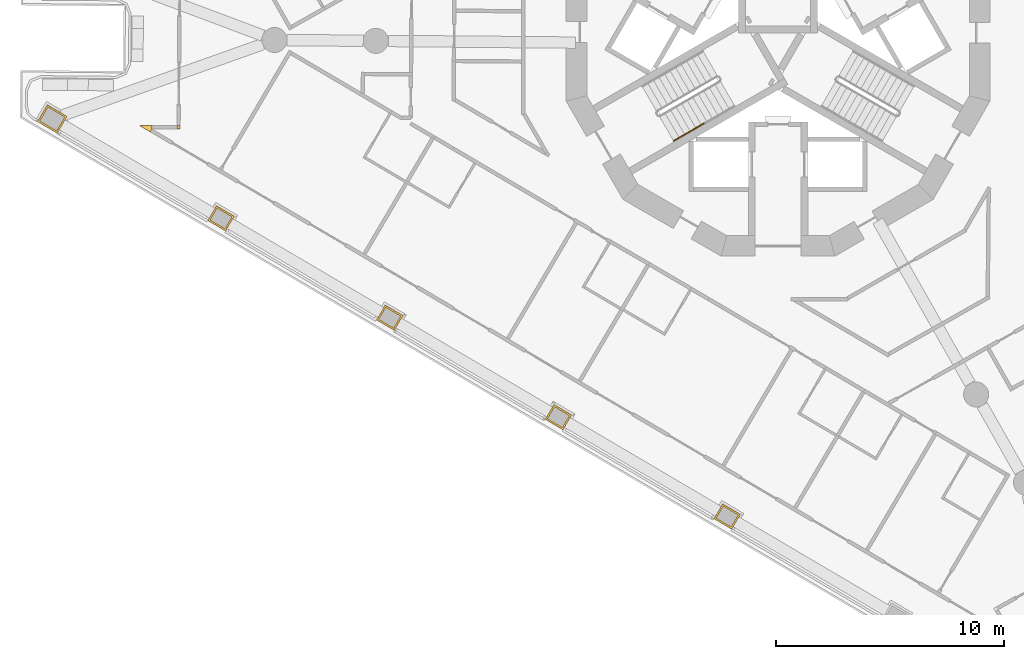
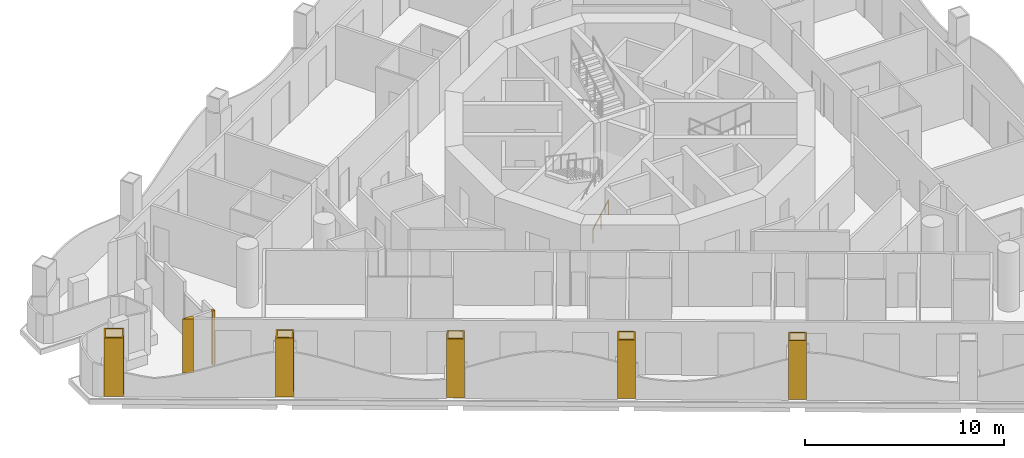
# One storey, part 11 of 17: 7 coverings, 1 railing.
"""IFC4 building model written with IfcOpenShell, lengths in metres."""

from ifc_helpers import new_model, si_unit, direction, frame, origin, origin_2d, place, context, subcontext, project, spatial, polyline, circle, outline, extrude, material, layer, layer_set, type_object, element, save


model = new_model("IFC4")

# Units and contexts
model_context = context("Model", 3, precision=1e-05, world=origin(), true_north=direction((0.0, 1.0)))
body_context = subcontext(model_context, "Body", "Model", "MODEL_VIEW")
ifc_project = project(units=[si_unit("LENGTHUNIT", "METRE"), si_unit("AREAUNIT", "SQUARE_METRE"), si_unit("VOLUMEUNIT", "CUBIC_METRE"), si_unit("PLANEANGLEUNIT", "RADIAN"), si_unit("MASSUNIT", "GRAM", prefix="KILO")], contexts=[model_context])

# Site, building, storey
site_placement = place(None, origin())
site = spatial("IfcSite", under=ifc_project, at=site_placement, CompositionType="ELEMENT")
building_placement = place(site_placement, origin())
building = spatial("IfcBuilding", under=site, at=building_placement, Name="Trine Commons Tower", CompositionType="ELEMENT")
storey_placement = place(building_placement, frame((0.0, 0.0, 164.699951171875)))
storey = spatial("IfcBuildingStorey", under=building, at=storey_placement, Name="L42", CompositionType="ELEMENT", Elevation=164.699951171875)

# Coverings
ifc_material_1 = material(Name="Aluminium-framed insulated wall panel", Category="aluminium")
ifc_layer_1 = layer(ifc_material_1, 0.14990234375)
ifc_layer_set_1 = layer_set([ifc_layer_1], Name="Aluminium-framed insulated wall panel")
covering_type_1 = type_object("IfcCoveringType", Name="Glazing corner post, aluminium", PredefinedType="CLADDING", material=ifc_layer_set_1)
covering_1_placement = place(storey_placement, origin())
element("IfcCovering", 1, at=covering_1_placement, inside=storey, type_object=covering_type_1, Name="Glazing corner post 5-01", PredefinedType="CLADDING", context=body_context, shape_type="SweptSolid", body=[
    extrude(outline(polyline([(52.519775390625, 58.669921875), (52.595947265625, 58.799072265625), (52.59716796875, 58.948974609375), (52.037353515625, 58.953857421875), (52.519775390625, 58.669921875)])), origin(), (0.0, 0.0, 1.0), 3.300048828125),
])
covering_2_placement = place(storey_placement, origin())
element("IfcCovering", 2, at=covering_2_placement, inside=storey, type_object=covering_type_1, Name="Glazing corner post 5-02", PredefinedType="CLADDING", context=body_context, shape_type="SweptSolid", body=[
    extrude(outline(polyline([(53.681640625, 58.78955078125), (53.83154296875, 58.7880859375), (53.8330078125, 58.938232421875), (53.682861328125, 58.939453125), (53.681640625, 58.78955078125)])), origin(), (0.0, 0.0, 1.0), 3.300048828125),
])
ifc_material_2 = material(Name="Limestone, honed", Category="masonry")
ifc_layer_2 = layer(ifc_material_2, 0.074951171875)
ifc_layer_set_2 = layer_set([ifc_layer_2], Name="Limestone, honed")
covering_type_2 = type_object("IfcCoveringType", Name="Limestone column cladding 75", PredefinedType="CLADDING", material=ifc_layer_set_2)
covering_3_placement = place(storey_placement, origin())
element("IfcCovering", 3, at=covering_3_placement, inside=storey, type_object=covering_type_2, Name="Limestone pier cladding 5-03", PredefinedType="CLADDING", context=body_context, shape_type="SweptSolid", body=[
    extrude(outline(polyline([(77.57568359375, 42.384521484375), (77.195068359375, 41.73828125), (77.970703125, 41.281494140625), (78.351318359375, 41.927734375), (77.57568359375, 42.384521484375)]), holes=[polyline([(77.602294921875, 42.28173828125), (77.2978515625, 41.764892578125), (77.944091796875, 41.38427734375), (78.24853515625, 41.901123046875), (77.602294921875, 42.28173828125)])]), origin(), (0.0, 0.0, 1.0), 3.60009765625),
])
covering_4_placement = place(storey_placement, origin())
element("IfcCovering", 4, at=covering_4_placement, inside=storey, type_object=covering_type_2, Name="Limestone pier cladding 5-04", PredefinedType="CLADDING", context=body_context, shape_type="SweptSolid", body=[
    extrude(outline(polyline([(70.191162109375, 46.734375), (69.810302734375, 46.088134765625), (70.5859375, 45.63134765625), (70.966552734375, 46.277587890625), (70.191162109375, 46.734375)]), holes=[polyline([(70.2177734375, 46.631591796875), (69.9130859375, 46.11474609375), (70.559326171875, 45.734130859375), (70.864013671875, 46.251220703125), (70.2177734375, 46.631591796875)])]), origin(), (0.0, 0.0, 1.0), 3.60009765625),
])
covering_5_placement = place(storey_placement, origin())
element("IfcCovering", 5, at=covering_5_placement, inside=storey, type_object=covering_type_2, Name="Limestone pier cladding 5-05", PredefinedType="CLADDING", context=body_context, shape_type="SweptSolid", body=[
    extrude(outline(polyline([(62.806396484375, 51.084228515625), (62.42578125, 50.43798828125), (63.201171875, 49.981201171875), (63.581787109375, 50.62744140625), (62.806396484375, 51.084228515625)]), holes=[polyline([(62.8330078125, 50.981689453125), (62.5283203125, 50.464599609375), (63.174560546875, 50.083984375), (63.479248046875, 50.60107421875), (62.8330078125, 50.981689453125)])]), origin(), (0.0, 0.0, 1.0), 3.60009765625),
])
covering_6_placement = place(storey_placement, origin())
element("IfcCovering", 6, at=covering_6_placement, inside=storey, type_object=covering_type_2, Name="Limestone pier cladding 5-06", PredefinedType="CLADDING", context=body_context, shape_type="SweptSolid", body=[
    extrude(outline(polyline([(55.421630859375, 55.43408203125), (55.041015625, 54.7880859375), (55.81640625, 54.331298828125), (56.197265625, 54.977294921875), (55.421630859375, 55.43408203125)]), holes=[polyline([(55.4482421875, 55.33154296875), (55.143798828125, 54.814453125), (55.789794921875, 54.433837890625), (56.094482421875, 54.950927734375), (55.4482421875, 55.33154296875)])]), origin(), (0.0, 0.0, 1.0), 3.60009765625),
])
covering_7_placement = place(storey_placement, origin())
element("IfcCovering", 7, at=covering_7_placement, inside=storey, type_object=covering_type_2, Name="Limestone pier cladding 5-07", PredefinedType="CLADDING", context=body_context, shape_type="SweptSolid", body=[
    extrude(outline(polyline([(48.019287109375, 59.8525390625), (47.587890625, 59.1201171875), (48.449462890625, 58.612548828125), (48.880859375, 59.344970703125), (48.019287109375, 59.8525390625)]), holes=[polyline([(48.0458984375, 59.75), (47.690673828125, 59.146728515625), (48.423095703125, 58.71533203125), (48.7783203125, 59.318603515625), (48.0458984375, 59.75)])]), origin(), (0.0, 0.0, 1.0), 3.60009765625),
])

# Railing
ifc_material_3 = material(Name="Stainless steel handrail", Category="steel")
railing_type = type_object("IfcRailingType", Name="Stair handrail, steel 900", PredefinedType="HANDRAIL", material=ifc_material_3)
railing_placement = place(storey_placement, frame((75.43017578125, 58.27392578125, 0.150146484375)))
element("IfcRailing", 8, at=railing_placement, inside=storey, type_object=railing_type, Name="L42 ST2B stair handrail 1", PredefinedType="HANDRAIL", context=body_context, shape_type="SweptSolid", body=[
    extrude(circle(Radius=0.02099609375, at=origin_2d()), frame((0.0, 0.0, 0.87890625), z_axis=(0.76340495495, 0.440743040072, 0.472184759798), x_axis=(-0.499992328818, 0.866029832698, 0.0)), (0.0, 0.0, 1.0), 1.7470703125),
    extrude(circle(Radius=0.01513671875, at=origin_2d()), origin(), (0.0, 0.0, 1.0), 0.85791015625),
    extrude(circle(Radius=0.01513671875, at=origin_2d()), frame((0.6669921875, 0.385009765625, 0.41259765625)), (0.0, 0.0, 1.0), 0.85791015625),
    extrude(circle(Radius=0.01513671875, at=origin_2d()), frame((1.333740234375, 0.77001953125, 0.824951171875)), (0.0, 0.0, 1.0), 0.85791015625),
])

save(model, "model.ifc")
